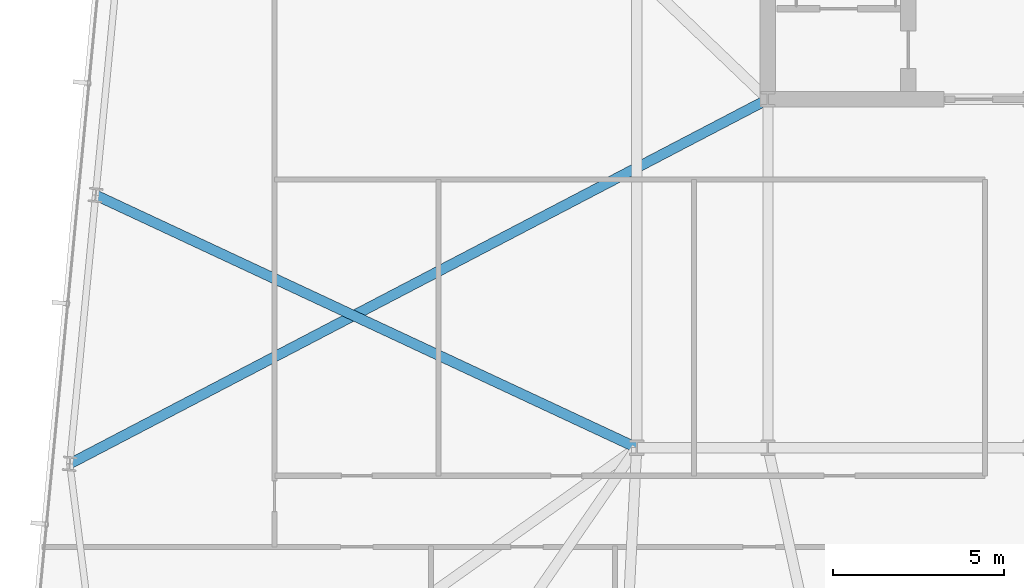
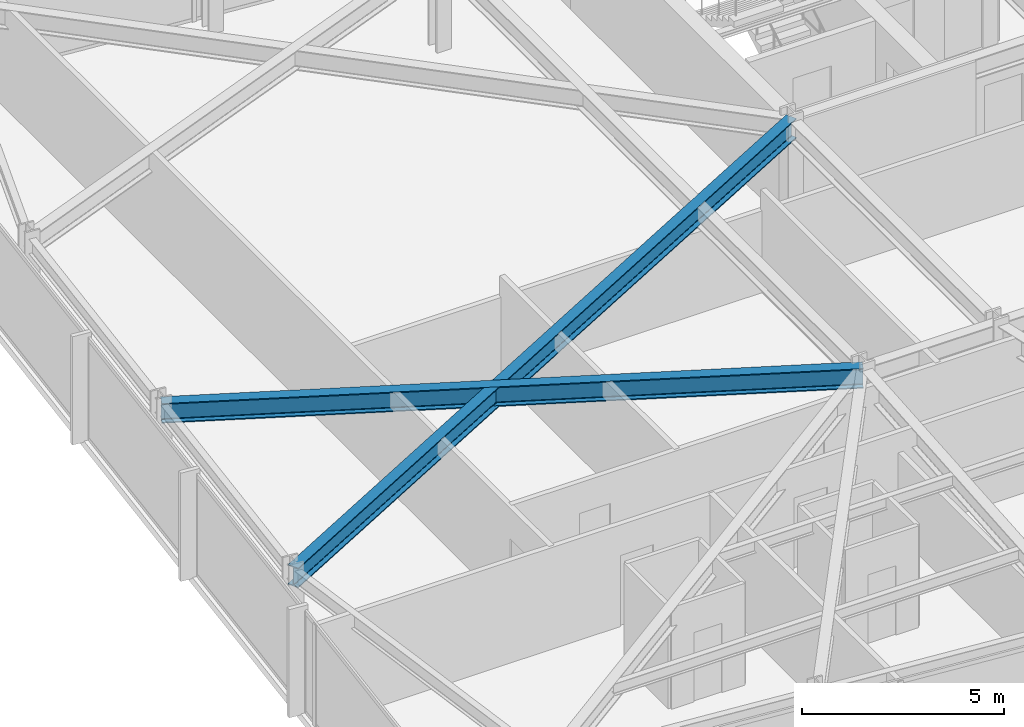
# One storey, part 9 of 37: 2 beams.
"""IFC4 building model written with IfcOpenShell, lengths in metres."""

from ifc_helpers import new_model, si_unit, direction, frame, origin, origin_2d, place, context, subcontext, project, spatial, i_section, extrude, material, material_profile, profile_set, type_object, element, save


model = new_model("IFC4")

# Units and contexts
model_context = context("Model", 3, precision=1e-05, world=origin(), true_north=direction((0.0, 1.0)))
body_context = subcontext(model_context, "Body", "Model", "MODEL_VIEW")
ifc_project = project(units=[si_unit("LENGTHUNIT", "METRE"), si_unit("AREAUNIT", "SQUARE_METRE"), si_unit("VOLUMEUNIT", "CUBIC_METRE"), si_unit("PLANEANGLEUNIT", "RADIAN"), si_unit("MASSUNIT", "GRAM", prefix="KILO")], contexts=[model_context])

# Site, building, storey
site_placement = place(None, origin())
site = spatial("IfcSite", under=ifc_project, at=site_placement, CompositionType="ELEMENT")
building_placement = place(site_placement, origin())
building = spatial("IfcBuilding", under=site, at=building_placement, Name="Yelkora Congress Tower", CompositionType="ELEMENT")
storey_placement = place(building_placement, frame((0.0, 0.0, 168.800048828125)))
storey = spatial("IfcBuildingStorey", under=building, at=storey_placement, Name="L46", CompositionType="ELEMENT", Elevation=168.800048828125)

# Beams
ifc_material = material(Name="Steel S355J2", Category="steel")
ifc_material_profile = material_profile(ifc_material, i_section(OverallWidth=0.300048828125, OverallDepth=0.60009765625, WebThickness=0.015380859375, FlangeThickness=0.030029296875, FilletRadius=0.027099609375, at=origin_2d()), Name="HEB 600")
ifc_profile_set = profile_set([ifc_material_profile], Name="Steel S355J2")
beam_type = type_object("IfcBeamType", Name="BM-GIRD-HEB600", PredefinedType="BEAM", material=ifc_profile_set)
beam_1_placement = place(storey_placement, frame((2.607421875, 24.730712890625, 2.780029296875), z_axis=(0.886430124978, 0.462862434781, 0.0), x_axis=(-0.462862434781, 0.886430124978, 0.0)))
element("IfcBeam", 1, at=beam_1_placement, inside=storey, type_object=beam_type, Name="L46 Primary Frame Girder W01", PredefinedType="BEAM", context=body_context, shape_type="SweptSolid", body=[
    extrude(i_section(OverallWidth=0.300048828125, OverallDepth=0.60009765625, WebThickness=0.015380859375, FlangeThickness=0.030029296875, FilletRadius=0.027099609375, at=origin_2d()), origin(), (0.0, 0.0, 1.0), 23.050537109375),
])
beam_2_placement = place(storey_placement, frame((3.364501953125, 32.594482421875, 2.780029296875), z_axis=(0.906081045456, -0.423104170466, 0.0), x_axis=(0.423104170466, 0.906081045456, 0.0)))
element("IfcBeam", 2, at=beam_2_placement, inside=storey, type_object=beam_type, Name="L46 Primary Frame Girder W02", PredefinedType="BEAM", context=body_context, shape_type="SweptSolid", body=[
    extrude(i_section(OverallWidth=0.300048828125, OverallDepth=0.60009765625, WebThickness=0.015380859375, FlangeThickness=0.030029296875, FilletRadius=0.027099609375, at=origin_2d()), origin(), (0.0, 0.0, 1.0), 17.476806640625),
])

save(model, "model.ifc")
